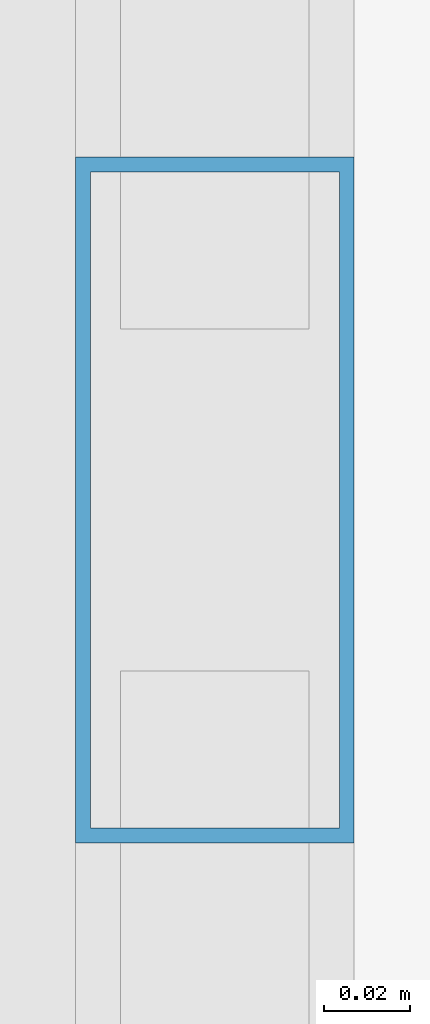
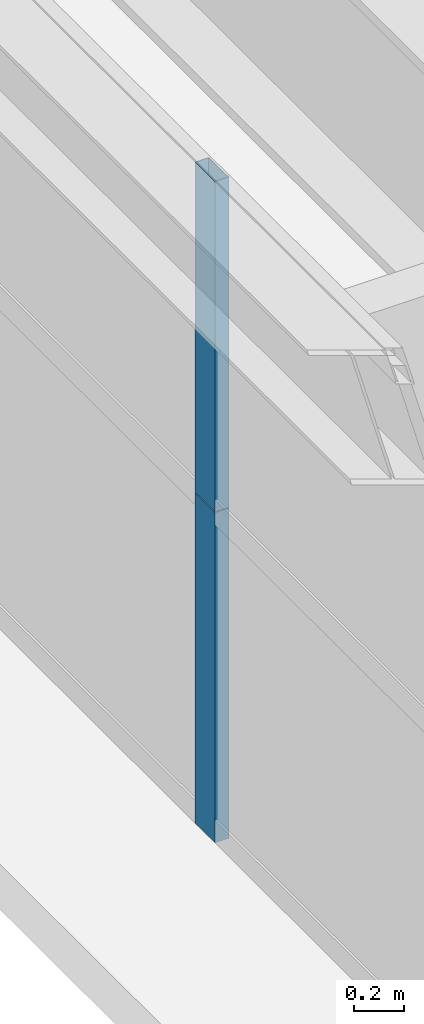
# One storey, part 14 of 39: 2 members, 1 element without a shape of its own.
"""IFC4 building model written with IfcOpenShell, lengths in metres."""

from ifc_helpers import new_model, si_unit, direction, frame, origin, origin_2d, place, context, subcontext, project, spatial, hollow_rectangle, extrude, source, transform, mapped, material, layer, layer_set, material_profile, profile_set, type_object, element, aggregate, save


model = new_model("IFC4")

# Units and contexts
model_context = context("Model", 3, precision=1e-05, world=origin(), true_north=direction((0.0, 1.0)))
body_context = subcontext(model_context, "Body", "Model", "MODEL_VIEW")
ifc_project = project(units=[si_unit("LENGTHUNIT", "METRE"), si_unit("AREAUNIT", "SQUARE_METRE"), si_unit("VOLUMEUNIT", "CUBIC_METRE"), si_unit("PLANEANGLEUNIT", "RADIAN"), si_unit("MASSUNIT", "GRAM", prefix="KILO"), si_unit("THERMODYNAMICTEMPERATUREUNIT", "KELVIN"), si_unit("POWERUNIT", "WATT")], contexts=[model_context])

# Site, building, storey
site_placement = place(None, origin())
site = spatial("IfcSite", under=ifc_project, at=site_placement, CompositionType="ELEMENT")
building_placement = place(site_placement, origin())
building = spatial("IfcBuilding", under=site, at=building_placement, Name="Yuzanri Waterfront Tower", CompositionType="ELEMENT")
storey_placement = place(building_placement, frame((0.0, 0.0, 216.0)))
storey = spatial("IfcBuildingStorey", under=building, at=storey_placement, Name="L57", CompositionType="ELEMENT", Elevation=216.0)

# Curtain wall, members
ifc_material_1 = material(Name="Anodized Architectural Bronze", Category="metal")
ifc_layer = layer(ifc_material_1, 0.159912109375)
ifc_layer_set = layer_set([ifc_layer], Name="Anodized Architectural Bronze")
curtain_wall_type = type_object("IfcCurtainWallType", Name="Anodized Bronze Mid-Rise Residential Acoustic Unitized Curtain Wall 7200", PredefinedType="NOTDEFINED", material=ifc_layer_set)
curtain_wall_placement = place(storey_placement, origin())
curtain_wall = element("IfcCurtainWall", 1, at=curtain_wall_placement, inside=storey, type_object=curtain_wall_type, Name="L57 Curtain Wall CW-L57-WR", PredefinedType="NOTDEFINED")
ifc_material_2 = material(Name="Anodized Architectural Bronze", Category="metal")
ifc_material_profile = material_profile(ifc_material_2, hollow_rectangle(XDim=0.06494140625, YDim=0.159912109375, WallThickness=0.00341796875, at=origin_2d()), Name="CWM 65x160")
ifc_profile_set = profile_set([ifc_material_profile], Name="Anodized Architectural Bronze")
member_type = type_object("IfcMemberType", Name="Anodized Bronze Upper-Zone Curtain-Wall Mullion 65x160", PredefinedType="MULLION", material=ifc_profile_set)
shared_shape = source(origin(), body_context, "Body", "SweptSolid", [
    extrude(hollow_rectangle(XDim=0.06494140625, YDim=0.159912109375, WallThickness=0.00341796875, at=origin_2d()), origin(), (0.0, 0.0, 1.0), 1.60791015625),
])
member_1_placement = place(storey_placement, frame((15.050048828125, 33.375, 0.0), z_axis=(0.0, 0.0, 1.0), x_axis=(1.0, 0.0, 0.0)))
member_1 = element("IfcMember", 2, at=member_1_placement, type_object=member_type, Name="CW-L57-WR Lower Mullion 01", PredefinedType="MULLION", context=body_context, shape_type="MappedRepresentation", body=[
    mapped(shared_shape, transform((0.0, 0.0, 0.0), scale=1.0)),
])
member_2_placement = place(storey_placement, frame((15.050048828125, 33.375, 1.612060546875), z_axis=(0.0, 0.0, 1.0), x_axis=(1.0, 0.0, 0.0)))
member_2 = element("IfcMember", 3, at=member_2_placement, type_object=member_type, Name="CW-L57-WR Upper Mullion 01", PredefinedType="MULLION", context=body_context, shape_type="MappedRepresentation", body=[
    mapped(shared_shape, transform((0.0, 0.0, 0.0), scale=1.0)),
])
aggregate(curtain_wall, [member_1, member_2])

save(model, "model.ifc")
